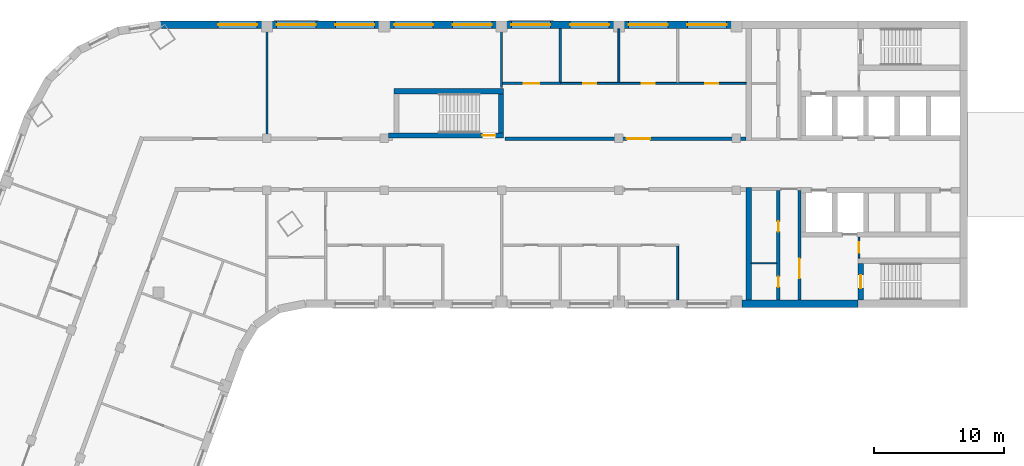
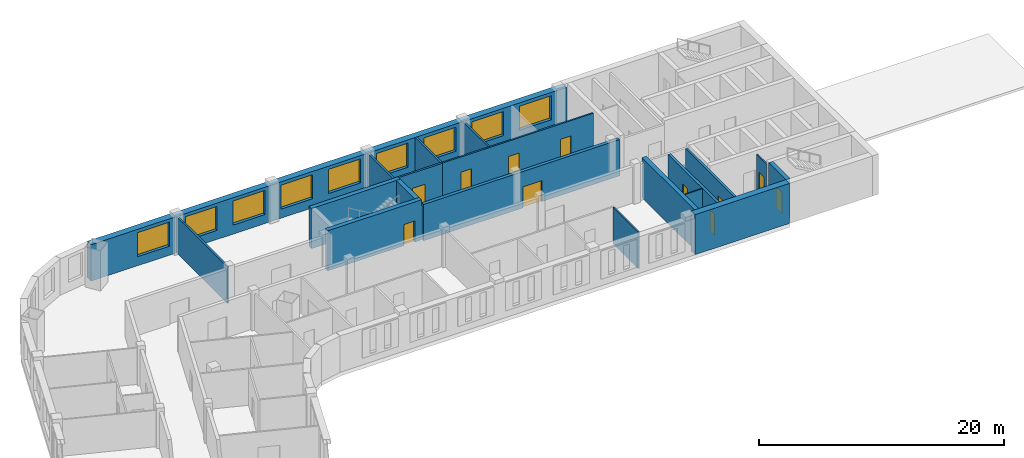
# One storey, part 5 of 8: 19 walls, 11 doors, 9 windows, 20 openings.
"""IFC4 building model written with IfcOpenShell, lengths in metres."""

from ifc_helpers import new_model, si_unit, direction, frame, frame_2d, origin, place, context, subcontext, project, spatial, rectangle, extrude, material, layer, layer_set, type_object, element, fill, save


model = new_model("IFC4")

# Units and contexts
model_context = context("Model", 3, precision=1e-05, world=origin(), true_north=direction((0.0, 1.0)))
body_context = subcontext(model_context, "Body", "Model", "MODEL_VIEW")
ifc_project = project(units=[si_unit("LENGTHUNIT", "METRE"), si_unit("AREAUNIT", "SQUARE_METRE"), si_unit("VOLUMEUNIT", "CUBIC_METRE"), si_unit("PLANEANGLEUNIT", "RADIAN"), si_unit("MASSUNIT", "GRAM", prefix="KILO")], contexts=[model_context])

# Site, building, storey
site_placement = place(None, origin())
site = spatial("IfcSite", under=ifc_project, at=site_placement, CompositionType="ELEMENT")
building_placement = place(site_placement, origin())
building = spatial("IfcBuilding", under=site, at=building_placement, Name="Skarvind Civic Tower", CompositionType="ELEMENT")
storey_placement = place(building_placement, frame((0.0, 0.0, 121.0)))
storey = spatial("IfcBuildingStorey", under=building, at=storey_placement, Name="L28", CompositionType="ELEMENT", Elevation=121.0)

# Walls
ifc_material_1 = material(Name="Acoustic gypsum board on steel studs", Category="steel")
ifc_layer_1 = layer(ifc_material_1, 0.175048828125)
ifc_layer_set_1 = layer_set([ifc_layer_1], Name="ACOUSTIC MEETING-ROOM PARTITION 175")
wall_type_1 = type_object("IfcWallType", Name="ACOUSTIC MEETING-ROOM PARTITION 175", PredefinedType="PARTITIONING", material=ifc_layer_set_1)
wall_1_placement = place(storey_placement, frame((54.25, 138.39990234375, 0.0), z_axis=(0.0, 0.0, 1.0), x_axis=(0.0, -1.0, 0.0)))
element("IfcWall", 1, at=wall_1_placement, inside=storey, type_object=wall_type_1, Name="Partition 28.022", PredefinedType="PARTITIONING", context=body_context, shape_type="SweptSolid", body=[
    extrude(rectangle(XDim=8.2998046875, YDim=0.175048828125, at=frame_2d((4.14990234375, 0.0))), origin(), (0.0, 0.0, 1.0), 3.625),
])
wall_2_placement = place(storey_placement, frame((72.25, 133.89990234375, 0.0), z_axis=(0.0, 0.0, 1.0), x_axis=(0.0, 1.0, 0.0)))
element("IfcWall", 2, at=wall_2_placement, inside=storey, type_object=wall_type_1, Name="Partition 28.029", PredefinedType="PARTITIONING", context=body_context, shape_type="SweptSolid", body=[
    extrude(rectangle(XDim=4.5, YDim=0.175048828125, at=frame_2d((2.25, 0.0))), origin(), (0.0, 0.0, 1.0), 3.625),
])

# Wall, opening, door
wall_3_placement = place(storey_placement, frame((76.75, 134.199951171875, 0.0), z_axis=(0.0, 0.0, 1.0), x_axis=(-1.0, 0.0, 0.0)))
wall_3 = element("IfcWall", 3, at=wall_3_placement, inside=storey, type_object=wall_type_1, Name="Partition 28.030", PredefinedType="PARTITIONING", context=body_context, shape_type="SweptSolid", body=[
    extrude(rectangle(XDim=4.412109375, YDim=0.175048828125, at=frame_2d((2.2060546875, 0.0))), origin(), (0.0, 0.0, 1.0), 3.625),
])
opening_1_placement = place(wall_3_placement, frame((1.615966796875, 0.0, 0.0)))
opening_1 = element("IfcOpeningElement", 4, at=opening_1_placement, cuts=wall_3, Name="Opening L28-D004", PredefinedType="OPENING", context=body_context, shape_type="SweptSolid", body=[
    extrude(rectangle(XDim=1.199951171875, YDim=2.10009765625, at=frame_2d((0.60009765625, 1.050048828125))), frame((0.0, 0.097412109375, 0.0), z_axis=(0.0, -1.0, 0.0), x_axis=(1.0, 0.0, 0.0)), (0.0, 0.0, 1.0), 0.195068359375),
])
ifc_material_2 = material(Name="Timber door leaf", Category="wood")
door_type_1 = type_object("IfcDoorType", Name="DOOR 1200X2100 DOUBLE TIMBER", OperationType="NOTDEFINED", PredefinedType="DOOR", material=ifc_material_2)
door_1_placement = place(opening_1_placement, origin())
door_1 = element("IfcDoor", 5, at=door_1_placement, inside=storey, type_object=door_type_1, Name="Door L28-D004", OperationType="DOUBLE_DOOR_SINGLE_SWING", OverallHeight=2.10009765625, OverallWidth=1.199951171875, PredefinedType="DOOR", context=body_context, shape_type="SweptSolid", body=[
    extrude(rectangle(XDim=1.199951171875, YDim=2.10009765625, at=frame_2d((0.60009765625, 1.050048828125))), frame((0.0, 0.02490234375, 0.0), z_axis=(0.0, -1.0, 0.0), x_axis=(1.0, 0.0, 0.0)), (0.0, 0.0, 1.0), 0.050048828125),
])
fill(opening_1, door_1)

# Wall
wall_4_placement = place(storey_placement, frame((76.75, 134.2880859375, 0.0), z_axis=(0.0, 0.0, 1.0), x_axis=(0.0, 1.0, 0.0)))
element("IfcWall", 6, at=wall_4_placement, inside=storey, type_object=wall_type_1, Name="Partition 28.033", PredefinedType="PARTITIONING", context=body_context, shape_type="SweptSolid", body=[
    extrude(rectangle(XDim=4.11181640625, YDim=0.175048828125, at=frame_2d((2.055908203125, 0.0))), origin(), (0.0, 0.0, 1.0), 3.625),
])

# Wall, opening, door
ifc_material_3 = material(Name="Fire-rated gypsum board on steel studs", Category="steel")
ifc_layer_2 = layer(ifc_material_3, 0.300048828125)
ifc_layer_set_2 = layer_set([ifc_layer_2], Name="CORRIDOR WALL 300")
wall_type_2 = type_object("IfcWallType", Name="CORRIDOR WALL 300", PredefinedType="PARTITIONING", material=ifc_layer_set_2)
wall_5_placement = place(storey_placement, frame((72.5, 129.949951171875, 0.0), z_axis=(0.0, 0.0, 1.0), x_axis=(1.0, 0.0, 0.0)))
wall_5 = element("IfcWall", 7, at=wall_5_placement, inside=storey, type_object=wall_type_2, Name="Partition 28.031", PredefinedType="PARTITIONING", context=body_context, shape_type="SweptSolid", body=[
    extrude(rectangle(XDim=18.5, YDim=0.300048828125, at=frame_2d((9.25, 0.0))), origin(), (0.0, 0.0, 1.0), 3.625),
])
opening_2_placement = place(wall_5_placement, frame((9.35009765625, 0.0, 0.0)))
opening_2 = element("IfcOpeningElement", 8, at=opening_2_placement, cuts=wall_5, Name="Opening L28-D005", PredefinedType="OPENING", context=body_context, shape_type="SweptSolid", body=[
    extrude(rectangle(XDim=1.800048828125, YDim=2.10009765625, at=frame_2d((0.89990234375, 1.050048828125))), frame((0.0, 0.159912109375, 0.0), z_axis=(0.0, -1.0, 0.0), x_axis=(1.0, 0.0, 0.0)), (0.0, 0.0, 1.0), 0.320068359375),
])
ifc_material_4 = material(Name="Fire-rated timber door leaf", Category="wood")
door_type_2 = type_object("IfcDoorType", Name="FD4 1800x2100", OperationType="NOTDEFINED", PredefinedType="DOOR", material=ifc_material_4)
door_2_placement = place(opening_2_placement, origin())
door_2 = element("IfcDoor", 9, at=door_2_placement, inside=storey, type_object=door_type_2, Name="Door L28-D005", OperationType="DOUBLE_DOOR_SINGLE_SWING", OverallHeight=2.10009765625, OverallWidth=1.800048828125, PredefinedType="DOOR", context=body_context, shape_type="SweptSolid", body=[
    extrude(rectangle(XDim=1.800048828125, YDim=2.10009765625, at=frame_2d((0.89990234375, 1.050048828125))), frame((0.0, 0.02490234375, 0.0), z_axis=(0.0, -1.0, 0.0), x_axis=(1.0, 0.0, 0.0)), (0.0, 0.0, 1.0), 0.050048828125),
])
fill(opening_2, door_2)

ifc_material_5 = material(Name="Fire-rated masonry partition", Category="masonry")
ifc_layer_3 = layer(ifc_material_5, 0.199951171875)
ifc_layer_set_3 = layer_set([ifc_layer_3], Name="Core enclosure wall 200")
wall_type_3 = type_object("IfcWallType", Name="Core enclosure wall 200", PredefinedType="PARTITIONING", material=ifc_layer_set_3)
wall_6_placement = place(storey_placement, frame((95.10009765625, 117.60009765625, 0.0), z_axis=(0.0, 0.0, 1.0), x_axis=(0.0, 1.0, 0.0)))
wall_6 = element("IfcWall", 10, at=wall_6_placement, inside=storey, type_object=wall_type_3, Name="Core wall C1", PredefinedType="PARTITIONING", context=body_context, shape_type="SweptSolid", body=[
    extrude(rectangle(XDim=8.39990234375, YDim=0.199951171875, at=frame_2d((4.199951171875, 0.0))), origin(), (0.0, 0.0, 1.0), 3.625),
])
opening_3_placement = place(wall_6_placement, frame((1.64990234375, 0.0, 0.0)))
opening_3 = element("IfcOpeningElement", 11, at=opening_3_placement, cuts=wall_6, Name="Opening D-L28-C1-06", PredefinedType="OPENING", context=body_context, shape_type="SweptSolid", body=[
    extrude(rectangle(XDim=1.5, YDim=2.10009765625, at=frame_2d((0.75, 1.050048828125))), frame((0.0, 0.10986328125, 0.0), z_axis=(0.0, -1.0, 0.0), x_axis=(1.0, 0.0, 0.0)), (0.0, 0.0, 1.0), 0.219970703125),
])
ifc_material_6 = material(Name="Fire-rated steel door", Category="steel")
door_type_3 = type_object("IfcDoorType", Name="Fire door 1500", OperationType="NOTDEFINED", PredefinedType="DOOR", material=ifc_material_6)
door_3_placement = place(opening_3_placement, origin())
door_3 = element("IfcDoor", 12, at=door_3_placement, inside=storey, type_object=door_type_3, Name="Fire door", OperationType="DOUBLE_DOOR_SINGLE_SWING", OverallHeight=2.10009765625, OverallWidth=1.5, PredefinedType="DOOR", context=body_context, shape_type="SweptSolid", body=[
    extrude(rectangle(XDim=1.5, YDim=2.10009765625, at=frame_2d((0.75, 1.050048828125))), frame((0.0, 0.02490234375, 0.0), z_axis=(0.0, -1.0, 0.0), x_axis=(1.0, 0.0, 0.0)), (0.0, 0.0, 1.0), 0.050048828125),
])
fill(opening_3, door_3)

# Wall
ifc_material_7 = material(Name="Fire-rated plasterboard partition")
ifc_layer_4 = layer(ifc_material_7, 0.10009765625)
ifc_layer_set_4 = layer_set([ifc_layer_4], Name="Core partition wall 100")
wall_type_4 = type_object("IfcWallType", Name="Core partition wall 100", PredefinedType="PARTITIONING", material=ifc_layer_set_4)
wall_7_placement = place(storey_placement, frame((93.35009765625, 120.39990234375, 0.0), z_axis=(0.0, 0.0, 1.0), x_axis=(-1.0, 0.0, 0.0)))
element("IfcWall", 13, at=wall_7_placement, inside=storey, type_object=wall_type_4, Name="Core wall C1", PredefinedType="PARTITIONING", context=body_context, shape_type="SweptSolid", body=[
    extrude(rectangle(XDim=1.9501953125, YDim=0.10009765625, at=frame_2d((0.97509765625, 0.0))), origin(), (0.0, 0.0, 1.0), 3.625),
])

# Wall, opening, door
ifc_material_8 = material(Name="Concrete C80", Category="concrete")
ifc_layer_5 = layer(ifc_material_8, 0.39990234375)
ifc_layer_set_5 = layer_set([ifc_layer_5], Name="Core wall 400 C80")
wall_type_5 = type_object("IfcWallType", Name="Core wall 400 C80", PredefinedType="SHEAR", material=ifc_layer_set_5)
wall_8_placement = place(storey_placement, frame((99.800048828125, 120.39990234375, 0.0), z_axis=(0.0, 0.0, 1.0), x_axis=(0.0, -1.0, 0.0)))
wall_8 = element("IfcWall", 14, at=wall_8_placement, inside=storey, type_object=wall_type_5, Name="Core wall C1 north stair end L28", PredefinedType="SHEAR", context=body_context, shape_type="SweptSolid", body=[
    extrude(rectangle(XDim=2.7998046875, YDim=0.39990234375, at=frame_2d((1.39990234375, 0.0))), origin(), (0.0, 0.0, 1.0), 4.0),
])
opening_4_placement = place(wall_8_placement, frame((0.89990234375, 0.0, 0.0)))
opening_4 = element("IfcOpeningElement", 15, at=opening_4_placement, cuts=wall_8, Name="Opening D-L28-C1-07", PredefinedType="OPENING", context=body_context, shape_type="SweptSolid", body=[
    extrude(rectangle(XDim=1.0, YDim=2.10009765625, at=frame_2d((0.5, 1.050048828125))), frame((0.0, 0.2099609375, 0.0), z_axis=(0.0, -1.0, 0.0), x_axis=(1.0, 0.0, 0.0)), (0.0, 0.0, 1.0), 0.419921875),
])
door_type_4 = type_object("IfcDoorType", Name="Fire door 1000", OperationType="NOTDEFINED", PredefinedType="DOOR", material=ifc_material_6)
door_4_placement = place(opening_4_placement, origin())
door_4 = element("IfcDoor", 16, at=door_4_placement, inside=storey, type_object=door_type_4, Name="Fire door", OperationType="SINGLE_SWING_LEFT", OverallHeight=2.10009765625, OverallWidth=1.0, PredefinedType="DOOR", context=body_context, shape_type="SweptSolid", body=[
    extrude(rectangle(XDim=1.0, YDim=2.10009765625, at=frame_2d((0.5, 1.050048828125))), frame((0.0, 0.02490234375, 0.0), z_axis=(0.0, -1.0, 0.0), x_axis=(1.0, 0.0, 0.0)), (0.0, 0.0, 1.0), 0.050048828125),
])
fill(opening_4, door_4)

# Wall
wall_9_placement = place(storey_placement, frame((91.199951171875, 126.199951171875, 0.0), z_axis=(0.0, 0.0, 1.0), x_axis=(0.0, -1.0, 0.0)))
element("IfcWall", 17, at=wall_9_placement, inside=storey, type_object=wall_type_5, Name="Core wall C1 north inner face L28", PredefinedType="SHEAR", context=body_context, shape_type="SweptSolid", body=[
    extrude(rectangle(XDim=8.599853515625, YDim=0.39990234375, at=frame_2d((4.2998046875, 0.0))), origin(), (0.0, 0.0, 1.0), 4.0),
])

# Wall, opening, door
wall_10_placement = place(storey_placement, frame((63.574951171875, 130.199951171875, 0.0), z_axis=(0.0, 0.0, 1.0), x_axis=(1.0, 0.0, 0.0)))
wall_10 = element("IfcWall", 18, at=wall_10_placement, inside=storey, type_object=wall_type_5, Name="Core wall CM inner L28", PredefinedType="SHEAR", context=body_context, shape_type="SweptSolid", body=[
    extrude(rectangle(XDim=8.824951171875, YDim=0.39990234375, at=frame_2d((4.41259765625, 0.0))), origin(), (0.0, 0.0, 1.0), 4.0),
])
opening_5_placement = place(wall_10_placement, frame((7.199951171875, 0.0, 0.0)))
opening_5 = element("IfcOpeningElement", 19, at=opening_5_placement, cuts=wall_10, Name="Opening D-L28-CM-01", PredefinedType="OPENING", context=body_context, shape_type="SweptSolid", body=[
    extrude(rectangle(XDim=1.0, YDim=2.10009765625, at=frame_2d((0.5, 1.050048828125))), frame((0.0, 0.2099609375, 0.0), z_axis=(0.0, -1.0, 0.0), x_axis=(1.0, 0.0, 0.0)), (0.0, 0.0, 1.0), 0.419921875),
])
door_5_placement = place(opening_5_placement, origin())
door_5 = element("IfcDoor", 20, at=door_5_placement, inside=storey, type_object=door_type_4, Name="Fire door", OperationType="SINGLE_SWING_LEFT", OverallHeight=2.10009765625, OverallWidth=1.0, PredefinedType="DOOR", context=body_context, shape_type="SweptSolid", body=[
    extrude(rectangle(XDim=1.0, YDim=2.10009765625, at=frame_2d((0.5, 1.050048828125))), frame((0.0, 0.02490234375, 0.0), z_axis=(0.0, -1.0, 0.0), x_axis=(1.0, 0.0, 0.0)), (0.0, 0.0, 1.0), 0.050048828125),
])
fill(opening_5, door_5)

# Walls
wall_11_placement = place(storey_placement, frame((64.0, 133.60009765625, 0.0), z_axis=(0.0, 0.0, 1.0), x_axis=(1.0, 0.0, 0.0)))
element("IfcWall", 21, at=wall_11_placement, inside=storey, type_object=wall_type_5, Name="Core wall CM outer L28", PredefinedType="SHEAR", context=body_context, shape_type="SweptSolid", body=[
    extrude(rectangle(XDim=8.39990234375, YDim=0.39990234375, at=frame_2d((4.199951171875, 0.0))), origin(), (0.0, 0.0, 1.0), 4.0),
])
wall_12_placement = place(storey_placement, frame((72.199951171875, 130.39990234375, 0.0), z_axis=(0.0, 0.0, 1.0), x_axis=(0.0, 1.0, 0.0)))
element("IfcWall", 22, at=wall_12_placement, inside=storey, type_object=wall_type_5, Name="Core wall CM end L28", PredefinedType="SHEAR", context=body_context, shape_type="SweptSolid", body=[
    extrude(rectangle(XDim=3.0, YDim=0.39990234375, at=frame_2d((1.5, 0.0))), origin(), (0.0, 0.0, 1.0), 4.0),
])
ifc_layer_6 = layer(ifc_material_8, 0.60009765625)
ifc_layer_set_6 = layer_set([ifc_layer_6], Name="Core wall 600 C80")
wall_type_6 = type_object("IfcWallType", Name="Core wall 600 C80", PredefinedType="SHEAR", material=ifc_layer_set_6)
wall_13_placement = place(storey_placement, frame((99.60009765625, 117.300048828125, 0.0), z_axis=(0.0, 0.0, 1.0), x_axis=(-1.0, 0.0, 0.0)))
element("IfcWall", 23, at=wall_13_placement, inside=storey, type_object=wall_type_6, Name="Core wall C1 north side L28", PredefinedType="SHEAR", context=body_context, shape_type="SweptSolid", body=[
    extrude(rectangle(XDim=8.925048828125, YDim=0.60009765625, at=frame_2d((4.46240234375, 0.0))), origin(), (0.0, 0.0, 1.0), 4.0),
])

# Wall, openings, doors
ifc_material_9 = material(Name="Plasterboard partition on steel studs", Category="steel")
ifc_layer_7 = layer(ifc_material_9, 0.14990234375)
ifc_layer_set_7 = layer_set([ifc_layer_7], Name="PARTITION 150")
wall_type_7 = type_object("IfcWallType", Name="PARTITION 150", PredefinedType="PARTITIONING", material=ifc_layer_set_7)
wall_14_placement = place(storey_placement, frame((91.0, 134.199951171875, 0.0), z_axis=(0.0, 0.0, 1.0), x_axis=(-1.0, 0.0, 0.0)))
wall_14 = element("IfcWall", 24, at=wall_14_placement, inside=storey, type_object=wall_type_7, Name="Partition 28.034", PredefinedType="PARTITIONING", context=body_context, shape_type="SweptSolid", body=[
    extrude(rectangle(XDim=14.25, YDim=0.14990234375, at=frame_2d((7.125, 0.0))), origin(), (0.0, 0.0, 1.0), 3.625),
])
opening_6_placement = place(wall_14_placement, frame((2.125, 0.0, 0.0)))
opening_6 = element("IfcOpeningElement", 25, at=opening_6_placement, cuts=wall_14, Name="Opening L28-D001", PredefinedType="OPENING", context=body_context, shape_type="SweptSolid", body=[
    extrude(rectangle(XDim=1.0, YDim=2.10009765625, at=frame_2d((0.5, 1.050048828125))), frame((0.0, 0.0849609375, 0.0), z_axis=(0.0, -1.0, 0.0), x_axis=(1.0, 0.0, 0.0)), (0.0, 0.0, 1.0), 0.169921875),
])
opening_7_placement = place(wall_14_placement, frame((7.0, 0.0, 0.0)))
opening_7 = element("IfcOpeningElement", 26, at=opening_7_placement, cuts=wall_14, Name="Opening L28-D002", PredefinedType="OPENING", context=body_context, shape_type="SweptSolid", body=[
    extrude(rectangle(XDim=1.0, YDim=2.10009765625, at=frame_2d((0.5, 1.050048828125))), frame((0.0, 0.0849609375, 0.0), z_axis=(0.0, -1.0, 0.0), x_axis=(1.0, 0.0, 0.0)), (0.0, 0.0, 1.0), 0.169921875),
])
opening_8_placement = place(wall_14_placement, frame((11.5, 0.0, 0.0)))
opening_8 = element("IfcOpeningElement", 27, at=opening_8_placement, cuts=wall_14, Name="Opening L28-D003", PredefinedType="OPENING", context=body_context, shape_type="SweptSolid", body=[
    extrude(rectangle(XDim=1.0, YDim=2.10009765625, at=frame_2d((0.5, 1.050048828125))), frame((0.0, 0.0849609375, 0.0), z_axis=(0.0, -1.0, 0.0), x_axis=(1.0, 0.0, 0.0)), (0.0, 0.0, 1.0), 0.169921875),
])
door_type_5 = type_object("IfcDoorType", Name="D1 1000x2100", OperationType="NOTDEFINED", PredefinedType="DOOR", material=ifc_material_2)
door_6_placement = place(opening_6_placement, origin())
door_6 = element("IfcDoor", 28, at=door_6_placement, inside=storey, type_object=door_type_5, Name="Door L28-D001", OperationType="SINGLE_SWING_LEFT", OverallHeight=2.10009765625, OverallWidth=1.0, PredefinedType="DOOR", context=body_context, shape_type="SweptSolid", body=[
    extrude(rectangle(XDim=1.0, YDim=2.10009765625, at=frame_2d((0.5, 1.050048828125))), frame((0.0, 0.02490234375, 0.0), z_axis=(0.0, -1.0, 0.0), x_axis=(1.0, 0.0, 0.0)), (0.0, 0.0, 1.0), 0.050048828125),
])
fill(opening_6, door_6)
door_7_placement = place(opening_7_placement, origin())
door_7 = element("IfcDoor", 29, at=door_7_placement, inside=storey, type_object=door_type_5, Name="Door L28-D002", OperationType="SINGLE_SWING_RIGHT", OverallHeight=2.10009765625, OverallWidth=1.0, PredefinedType="DOOR", context=body_context, shape_type="SweptSolid", body=[
    extrude(rectangle(XDim=1.0, YDim=2.10009765625, at=frame_2d((0.5, 1.050048828125))), frame((0.0, 0.02490234375, 0.0), z_axis=(0.0, -1.0, 0.0), x_axis=(1.0, 0.0, 0.0)), (0.0, 0.0, 1.0), 0.050048828125),
])
fill(opening_7, door_7)
door_8_placement = place(opening_8_placement, origin())
door_8 = element("IfcDoor", 30, at=door_8_placement, inside=storey, type_object=door_type_5, Name="Door L28-D003", OperationType="SINGLE_SWING_LEFT", OverallHeight=2.10009765625, OverallWidth=1.0, PredefinedType="DOOR", context=body_context, shape_type="SweptSolid", body=[
    extrude(rectangle(XDim=1.0, YDim=2.10009765625, at=frame_2d((0.5, 1.050048828125))), frame((0.0, 0.02490234375, 0.0), z_axis=(0.0, -1.0, 0.0), x_axis=(1.0, 0.0, 0.0)), (0.0, 0.0, 1.0), 0.050048828125),
])
fill(opening_8, door_8)

# Walls
for number, where, z_axis, x_axis, name in (
    (31, (81.25, 134.27490234375, 0.0), (0.0, 0.0, 1.0), (0.0, 1.0, 0.0), "Partition 28.036"),
    (32, (85.75, 117.60009765625, 0.0), (0.0, 0.0, 1.0), (0.0, 1.0, 0.0), "Partition 28.037"),
):
    element("IfcWall", number, at=place(storey_placement, frame(where, z_axis=z_axis, x_axis=x_axis)), inside=storey, type_object=wall_type_7, Name=name, PredefinedType="PARTITIONING", context=body_context, shape_type="SweptSolid", body=[
        extrude(rectangle(XDim=4.125, YDim=0.14990234375, at=frame_2d((2.0625, 0.0))), origin(), (0.0, 0.0, 1.0), 3.625),
    ])

# Wall, opening, door
ifc_layer_8 = layer(ifc_material_5, 0.125)
ifc_layer_set_8 = layer_set([ifc_layer_8], Name="Riser wall 125")
wall_type_8 = type_object("IfcWallType", Name="Riser wall 125", PredefinedType="PARTITIONING", material=ifc_layer_set_8)
wall_15_placement = place(storey_placement, frame((99.66259765625, 120.800048828125, 0.0), z_axis=(0.0, 0.0, 1.0), x_axis=(0.0, 1.0, 0.0)))
wall_15 = element("IfcWall", 33, at=wall_15_placement, inside=storey, type_object=wall_type_8, Name="Core wall C1", PredefinedType="PARTITIONING", context=body_context, shape_type="SweptSolid", body=[
    extrude(rectangle(XDim=1.599853515625, YDim=0.125, at=frame_2d((0.7998046875, 0.0))), origin(), (0.0, 0.0, 1.0), 3.625),
])
opening_9_placement = place(wall_15_placement, frame((0.39990234375, 0.0, 0.0)))
opening_9 = element("IfcOpeningElement", 34, at=opening_9_placement, cuts=wall_15, Name="Opening D-L28-C1-08", PredefinedType="OPENING", context=body_context, shape_type="SweptSolid", body=[
    extrude(rectangle(XDim=0.800048828125, YDim=2.10009765625, at=frame_2d((0.39990234375, 1.050048828125))), frame((0.0, 0.072509765625, 0.0), z_axis=(0.0, -1.0, 0.0), x_axis=(1.0, 0.0, 0.0)), (0.0, 0.0, 1.0), 0.14501953125),
])
door_type_6 = type_object("IfcDoorType", Name="Core riser door 800", OperationType="NOTDEFINED", PredefinedType="DOOR", material=ifc_material_6)
door_9_placement = place(opening_9_placement, origin())
door_9 = element("IfcDoor", 35, at=door_9_placement, inside=storey, type_object=door_type_6, Name="Riser door", OperationType="SINGLE_SWING_RIGHT", OverallHeight=2.10009765625, OverallWidth=0.800048828125, PredefinedType="DOOR", context=body_context, shape_type="SweptSolid", body=[
    extrude(rectangle(XDim=0.800048828125, YDim=2.10009765625, at=frame_2d((0.39990234375, 1.050048828125))), frame((0.0, 0.02490234375, 0.0), z_axis=(0.0, -1.0, 0.0), x_axis=(1.0, 0.0, 0.0)), (0.0, 0.0, 1.0), 0.050048828125),
])
fill(opening_9, door_9)

# Wall, openings, doors
ifc_layer_9 = layer(ifc_material_5, 0.25)
ifc_layer_set_9 = layer_set([ifc_layer_9], Name="Service block wall 250")
wall_type_9 = type_object("IfcWallType", Name="Service block wall 250", PredefinedType="PARTITIONING", material=ifc_layer_set_9)
wall_16_placement = place(storey_placement, frame((93.47509765625, 117.60009765625, 0.0), z_axis=(0.0, 0.0, 1.0), x_axis=(0.0, 1.0, 0.0)))
wall_16 = element("IfcWall", 36, at=wall_16_placement, inside=storey, type_object=wall_type_9, Name="Core wall C1", PredefinedType="PARTITIONING", context=body_context, shape_type="SweptSolid", body=[
    extrude(rectangle(XDim=8.39990234375, YDim=0.25, at=frame_2d((4.199951171875, 0.0))), origin(), (0.0, 0.0, 1.0), 3.625),
])
opening_10_placement = place(wall_16_placement, frame((5.22509765625, 0.0, 0.0)))
opening_10 = element("IfcOpeningElement", 37, at=opening_10_placement, cuts=wall_16, Name="Opening D-L28-C1-09", PredefinedType="OPENING", context=body_context, shape_type="SweptSolid", body=[
    extrude(rectangle(XDim=0.800048828125, YDim=2.10009765625, at=frame_2d((0.39990234375, 1.050048828125))), frame((0.0, 0.135009765625, 0.0), z_axis=(0.0, -1.0, 0.0), x_axis=(1.0, 0.0, 0.0)), (0.0, 0.0, 1.0), 0.27001953125),
])
opening_11_placement = place(wall_16_placement, frame((0.97509765625, 0.0, 0.0)))
opening_11 = element("IfcOpeningElement", 38, at=opening_11_placement, cuts=wall_16, Name="Opening D-L28-C1-10", PredefinedType="OPENING", context=body_context, shape_type="SweptSolid", body=[
    extrude(rectangle(XDim=0.800048828125, YDim=2.10009765625, at=frame_2d((0.39990234375, 1.050048828125))), frame((0.0, 0.135009765625, 0.0), z_axis=(0.0, -1.0, 0.0), x_axis=(1.0, 0.0, 0.0)), (0.0, 0.0, 1.0), 0.27001953125),
])
door_10_placement = place(opening_10_placement, origin())
door_10 = element("IfcDoor", 39, at=door_10_placement, inside=storey, type_object=door_type_6, Name="Riser door", OperationType="SINGLE_SWING_LEFT", OverallHeight=2.10009765625, OverallWidth=0.800048828125, PredefinedType="DOOR", context=body_context, shape_type="SweptSolid", body=[
    extrude(rectangle(XDim=0.800048828125, YDim=2.10009765625, at=frame_2d((0.39990234375, 1.050048828125))), frame((0.0, 0.02490234375, 0.0), z_axis=(0.0, -1.0, 0.0), x_axis=(1.0, 0.0, 0.0)), (0.0, 0.0, 1.0), 0.050048828125),
])
fill(opening_10, door_10)
door_11_placement = place(opening_11_placement, origin())
door_11 = element("IfcDoor", 40, at=door_11_placement, inside=storey, type_object=door_type_6, Name="Riser door", OperationType="SINGLE_SWING_RIGHT", OverallHeight=2.10009765625, OverallWidth=0.800048828125, PredefinedType="DOOR", context=body_context, shape_type="SweptSolid", body=[
    extrude(rectangle(XDim=0.800048828125, YDim=2.10009765625, at=frame_2d((0.39990234375, 1.050048828125))), frame((0.0, 0.02490234375, 0.0), z_axis=(0.0, -1.0, 0.0), x_axis=(1.0, 0.0, 0.0)), (0.0, 0.0, 1.0), 0.050048828125),
])
fill(opening_11, door_11)

# Wall, openings, windows
ifc_material_10 = material(Name="Limestone masonry cladding on insulated backing", Category="masonry")
ifc_layer_10 = layer(ifc_material_10, 0.60009765625)
ifc_layer_set_10 = layer_set([ifc_layer_10], Name="WX1 STONE FACADE WALL 600")
wall_type_10 = type_object("IfcWallType", Name="WX1 STONE FACADE WALL 600", PredefinedType="SOLIDWALL", material=ifc_layer_set_10)
wall_17_placement = place(storey_placement, frame((46.095458984375, 138.699951171875, 0.0), z_axis=(0.0, 0.0, 1.0), x_axis=(1.0, 0.0, 0.0)))
wall_17 = element("IfcWall", 41, at=wall_17_placement, inside=storey, type_object=wall_type_10, Name="STONE FACADE WALL", PredefinedType="SOLIDWALL", context=body_context, shape_type="SweptSolid", body=[
    extrude(rectangle(XDim=44.884521484375, YDim=0.60009765625, at=frame_2d((22.4423828125, 0.0))), origin(), (0.0, 0.0, 1.0), 3.625),
])
opening_12_placement = place(wall_17_placement, frame((4.404541015625, 0.0, 0.89990234375)))
opening_12 = element("IfcOpeningElement", 42, at=opening_12_placement, cuts=wall_17, Name="Opening WN1", PredefinedType="OPENING", context=body_context, shape_type="SweptSolid", body=[
    extrude(rectangle(XDim=3.0, YDim=2.39990234375, at=frame_2d((1.5, 1.199951171875))), frame((0.0, 0.31005859375, 0.0), z_axis=(0.0, -1.0, 0.0), x_axis=(1.0, 0.0, 0.0)), (0.0, 0.0, 1.0), 0.6201171875),
])
opening_13_placement = place(wall_17_placement, frame((8.904541015625, 0.0, 0.89990234375)))
opening_13 = element("IfcOpeningElement", 43, at=opening_13_placement, cuts=wall_17, Name="Opening WN1", PredefinedType="OPENING", context=body_context, shape_type="SweptSolid", body=[
    extrude(rectangle(XDim=3.0, YDim=2.39990234375, at=frame_2d((1.5, 1.199951171875))), frame((0.0, 0.31005859375, 0.0), z_axis=(0.0, -1.0, 0.0), x_axis=(1.0, 0.0, 0.0)), (0.0, 0.0, 1.0), 0.6201171875),
])
opening_14_placement = place(wall_17_placement, frame((13.404541015625, 0.0, 0.89990234375)))
opening_14 = element("IfcOpeningElement", 44, at=opening_14_placement, cuts=wall_17, Name="Opening WN1", PredefinedType="OPENING", context=body_context, shape_type="SweptSolid", body=[
    extrude(rectangle(XDim=3.0, YDim=2.39990234375, at=frame_2d((1.5, 1.199951171875))), frame((0.0, 0.31005859375, 0.0), z_axis=(0.0, -1.0, 0.0), x_axis=(1.0, 0.0, 0.0)), (0.0, 0.0, 1.0), 0.6201171875),
])
opening_15_placement = place(wall_17_placement, frame((17.904541015625, 0.0, 0.89990234375)))
opening_15 = element("IfcOpeningElement", 45, at=opening_15_placement, cuts=wall_17, Name="Opening WN1", PredefinedType="OPENING", context=body_context, shape_type="SweptSolid", body=[
    extrude(rectangle(XDim=3.0, YDim=2.39990234375, at=frame_2d((1.5, 1.199951171875))), frame((0.0, 0.31005859375, 0.0), z_axis=(0.0, -1.0, 0.0), x_axis=(1.0, 0.0, 0.0)), (0.0, 0.0, 1.0), 0.6201171875),
])
opening_16_placement = place(wall_17_placement, frame((22.404541015625, 0.0, 0.89990234375)))
opening_16 = element("IfcOpeningElement", 46, at=opening_16_placement, cuts=wall_17, Name="Opening WN1", PredefinedType="OPENING", context=body_context, shape_type="SweptSolid", body=[
    extrude(rectangle(XDim=3.0, YDim=2.39990234375, at=frame_2d((1.5, 1.199951171875))), frame((0.0, 0.31005859375, 0.0), z_axis=(0.0, -1.0, 0.0), x_axis=(1.0, 0.0, 0.0)), (0.0, 0.0, 1.0), 0.6201171875),
])
opening_17_placement = place(wall_17_placement, frame((26.904541015625, 0.0, 0.89990234375)))
opening_17 = element("IfcOpeningElement", 47, at=opening_17_placement, cuts=wall_17, Name="Opening WN1", PredefinedType="OPENING", context=body_context, shape_type="SweptSolid", body=[
    extrude(rectangle(XDim=3.0, YDim=2.39990234375, at=frame_2d((1.5, 1.199951171875))), frame((0.0, 0.31005859375, 0.0), z_axis=(0.0, -1.0, 0.0), x_axis=(1.0, 0.0, 0.0)), (0.0, 0.0, 1.0), 0.6201171875),
])
opening_18_placement = place(wall_17_placement, frame((31.404541015625, 0.0, 0.89990234375)))
opening_18 = element("IfcOpeningElement", 48, at=opening_18_placement, cuts=wall_17, Name="Opening WN1", PredefinedType="OPENING", context=body_context, shape_type="SweptSolid", body=[
    extrude(rectangle(XDim=3.0, YDim=2.39990234375, at=frame_2d((1.5, 1.199951171875))), frame((0.0, 0.31005859375, 0.0), z_axis=(0.0, -1.0, 0.0), x_axis=(1.0, 0.0, 0.0)), (0.0, 0.0, 1.0), 0.6201171875),
])
opening_19_placement = place(wall_17_placement, frame((35.904541015625, 0.0, 0.89990234375)))
opening_19 = element("IfcOpeningElement", 49, at=opening_19_placement, cuts=wall_17, Name="Opening WN1", PredefinedType="OPENING", context=body_context, shape_type="SweptSolid", body=[
    extrude(rectangle(XDim=3.0, YDim=2.39990234375, at=frame_2d((1.5, 1.199951171875))), frame((0.0, 0.31005859375, 0.0), z_axis=(0.0, -1.0, 0.0), x_axis=(1.0, 0.0, 0.0)), (0.0, 0.0, 1.0), 0.6201171875),
])
opening_20_placement = place(wall_17_placement, frame((40.404541015625, 0.0, 0.89990234375)))
opening_20 = element("IfcOpeningElement", 50, at=opening_20_placement, cuts=wall_17, Name="Opening WN1", PredefinedType="OPENING", context=body_context, shape_type="SweptSolid", body=[
    extrude(rectangle(XDim=3.0, YDim=2.39990234375, at=frame_2d((1.5, 1.199951171875))), frame((0.0, 0.31005859375, 0.0), z_axis=(0.0, -1.0, 0.0), x_axis=(1.0, 0.0, 0.0)), (0.0, 0.0, 1.0), 0.6201171875),
])
ifc_material_11 = material(Name="Timber frame, double glazing, timber-lined reveal", Category="wood")
window_type = type_object("IfcWindowType", Name="WN1 PUNCHED STONE WINDOW 3000 x 2400", PartitioningType="SINGLE_PANEL", PredefinedType="WINDOW", material=ifc_material_11)
window_1_placement = place(opening_12_placement, origin())
window_1 = element("IfcWindow", 51, at=window_1_placement, inside=storey, type_object=window_type, Name="WN1 WINDOW", OverallHeight=2.39990234375, OverallWidth=3.0, PartitioningType="SINGLE_PANEL", PredefinedType="WINDOW", context=body_context, shape_type="SweptSolid", body=[
    extrude(rectangle(XDim=3.0, YDim=2.39990234375, at=frame_2d((1.5, 1.199951171875))), frame((0.0, 0.030029296875, 0.0), z_axis=(0.0, -1.0, 0.0), x_axis=(1.0, 0.0, 0.0)), (0.0, 0.0, 1.0), 0.06005859375),
])
fill(opening_12, window_1)
window_2_placement = place(opening_13_placement, origin())
window_2 = element("IfcWindow", 52, at=window_2_placement, inside=storey, type_object=window_type, Name="WN1 WINDOW", OverallHeight=2.39990234375, OverallWidth=3.0, PartitioningType="SINGLE_PANEL", PredefinedType="WINDOW", context=body_context, shape_type="SweptSolid", body=[
    extrude(rectangle(XDim=3.0, YDim=2.39990234375, at=frame_2d((1.5, 1.199951171875))), frame((0.0, 0.030029296875, 0.0), z_axis=(0.0, -1.0, 0.0), x_axis=(1.0, 0.0, 0.0)), (0.0, 0.0, 1.0), 0.06005859375),
])
fill(opening_13, window_2)
window_3_placement = place(opening_14_placement, origin())
window_3 = element("IfcWindow", 53, at=window_3_placement, inside=storey, type_object=window_type, Name="WN1 WINDOW", OverallHeight=2.39990234375, OverallWidth=3.0, PartitioningType="SINGLE_PANEL", PredefinedType="WINDOW", context=body_context, shape_type="SweptSolid", body=[
    extrude(rectangle(XDim=3.0, YDim=2.39990234375, at=frame_2d((1.5, 1.199951171875))), frame((0.0, 0.030029296875, 0.0), z_axis=(0.0, -1.0, 0.0), x_axis=(1.0, 0.0, 0.0)), (0.0, 0.0, 1.0), 0.06005859375),
])
fill(opening_14, window_3)
window_4_placement = place(opening_15_placement, origin())
window_4 = element("IfcWindow", 54, at=window_4_placement, inside=storey, type_object=window_type, Name="WN1 WINDOW", OverallHeight=2.39990234375, OverallWidth=3.0, PartitioningType="SINGLE_PANEL", PredefinedType="WINDOW", context=body_context, shape_type="SweptSolid", body=[
    extrude(rectangle(XDim=3.0, YDim=2.39990234375, at=frame_2d((1.5, 1.199951171875))), frame((0.0, 0.030029296875, 0.0), z_axis=(0.0, -1.0, 0.0), x_axis=(1.0, 0.0, 0.0)), (0.0, 0.0, 1.0), 0.06005859375),
])
fill(opening_15, window_4)
window_5_placement = place(opening_16_placement, origin())
window_5 = element("IfcWindow", 55, at=window_5_placement, inside=storey, type_object=window_type, Name="WN1 WINDOW", OverallHeight=2.39990234375, OverallWidth=3.0, PartitioningType="SINGLE_PANEL", PredefinedType="WINDOW", context=body_context, shape_type="SweptSolid", body=[
    extrude(rectangle(XDim=3.0, YDim=2.39990234375, at=frame_2d((1.5, 1.199951171875))), frame((0.0, 0.030029296875, 0.0), z_axis=(0.0, -1.0, 0.0), x_axis=(1.0, 0.0, 0.0)), (0.0, 0.0, 1.0), 0.06005859375),
])
fill(opening_16, window_5)
window_6_placement = place(opening_17_placement, origin())
window_6 = element("IfcWindow", 56, at=window_6_placement, inside=storey, type_object=window_type, Name="WN1 WINDOW", OverallHeight=2.39990234375, OverallWidth=3.0, PartitioningType="SINGLE_PANEL", PredefinedType="WINDOW", context=body_context, shape_type="SweptSolid", body=[
    extrude(rectangle(XDim=3.0, YDim=2.39990234375, at=frame_2d((1.5, 1.199951171875))), frame((0.0, 0.030029296875, 0.0), z_axis=(0.0, -1.0, 0.0), x_axis=(1.0, 0.0, 0.0)), (0.0, 0.0, 1.0), 0.06005859375),
])
fill(opening_17, window_6)
window_7_placement = place(opening_18_placement, origin())
window_7 = element("IfcWindow", 57, at=window_7_placement, inside=storey, type_object=window_type, Name="WN1 WINDOW", OverallHeight=2.39990234375, OverallWidth=3.0, PartitioningType="SINGLE_PANEL", PredefinedType="WINDOW", context=body_context, shape_type="SweptSolid", body=[
    extrude(rectangle(XDim=3.0, YDim=2.39990234375, at=frame_2d((1.5, 1.199951171875))), frame((0.0, 0.030029296875, 0.0), z_axis=(0.0, -1.0, 0.0), x_axis=(1.0, 0.0, 0.0)), (0.0, 0.0, 1.0), 0.06005859375),
])
fill(opening_18, window_7)
window_8_placement = place(opening_19_placement, origin())
window_8 = element("IfcWindow", 58, at=window_8_placement, inside=storey, type_object=window_type, Name="WN1 WINDOW", OverallHeight=2.39990234375, OverallWidth=3.0, PartitioningType="SINGLE_PANEL", PredefinedType="WINDOW", context=body_context, shape_type="SweptSolid", body=[
    extrude(rectangle(XDim=3.0, YDim=2.39990234375, at=frame_2d((1.5, 1.199951171875))), frame((0.0, 0.030029296875, 0.0), z_axis=(0.0, -1.0, 0.0), x_axis=(1.0, 0.0, 0.0)), (0.0, 0.0, 1.0), 0.06005859375),
])
fill(opening_19, window_8)
window_9_placement = place(opening_20_placement, origin())
window_9 = element("IfcWindow", 59, at=window_9_placement, inside=storey, type_object=window_type, Name="WN1 WINDOW", OverallHeight=2.39990234375, OverallWidth=3.0, PartitioningType="SINGLE_PANEL", PredefinedType="WINDOW", context=body_context, shape_type="SweptSolid", body=[
    extrude(rectangle(XDim=3.0, YDim=2.39990234375, at=frame_2d((1.5, 1.199951171875))), frame((0.0, 0.030029296875, 0.0), z_axis=(0.0, -1.0, 0.0), x_axis=(1.0, 0.0, 0.0)), (0.0, 0.0, 1.0), 0.06005859375),
])
fill(opening_20, window_9)

save(model, "model.ifc")
